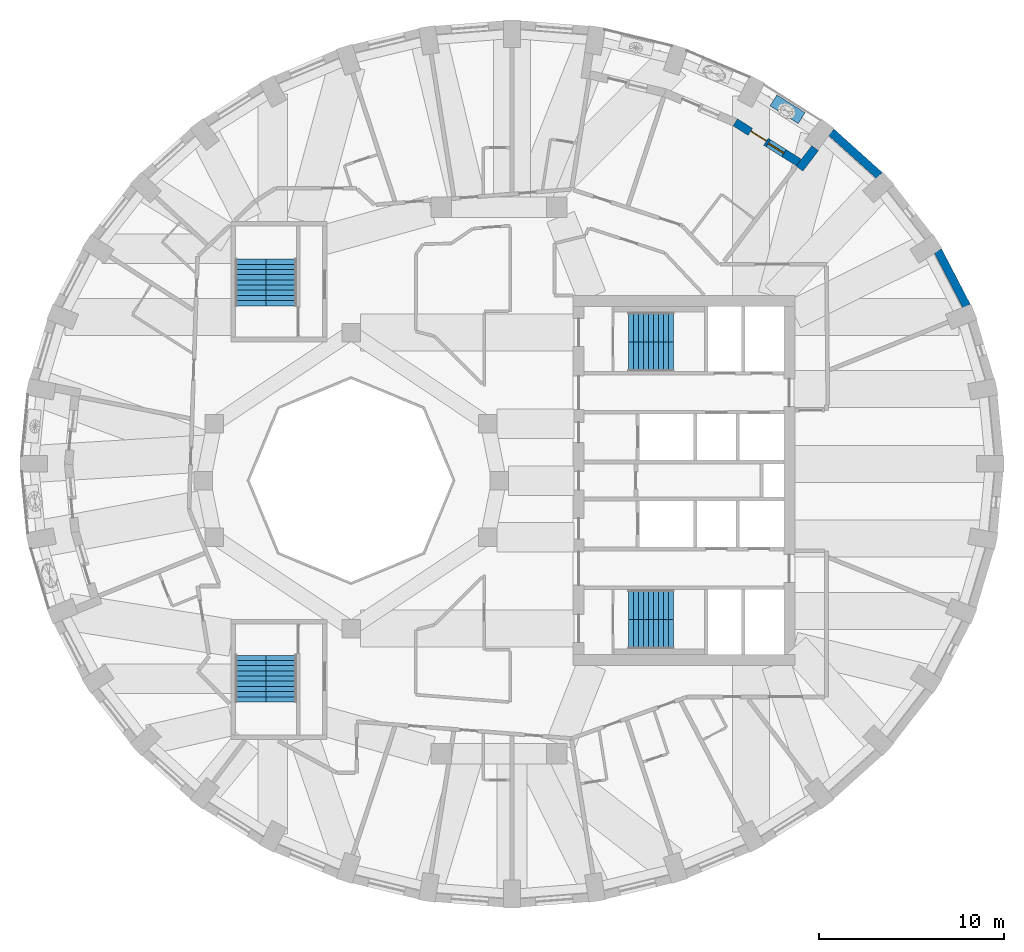
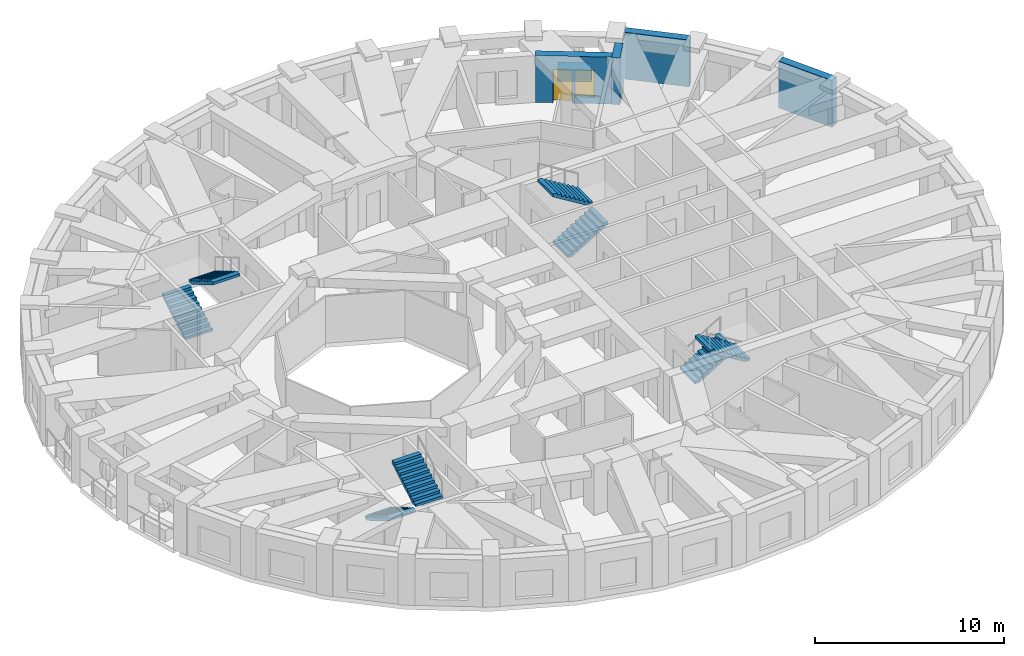
# One storey, part 9 of 12: 8 stair flights, 5 walls, 1 door, 1 window, 2 openings, 4 elements without a shape of their own.
"""IFC4 building model written with IfcOpenShell, lengths in metres."""

import ifcopenshell
import ifcopenshell.guid

model = None  # the IFC model being written
_history = None  # IfcOwnerHistory: only IFC2X3 demands one
_inside = {}  # id of a spatial element -> (the spatial element, [elements in it])
_under = {}  # id of a project, library or spatial element -> (it, [spatial elements below it])
_declared = {}  # id of a project -> (the project, [libraries it declares])
_typed = {}  # id of a type object -> (the type object, [elements of that type])
_made_of = {}  # id of a material, layer set ... -> (it, [elements and type objects made of it])


def new_model(schema):
    """Start an empty IFC model of exactly this schema.

    Asked for "IFC4X3", IfcOpenShell would pick the latest addendum, in which some entities
    have other attributes; the version numbers below select the first issue.
    IFC2X3 requires an IfcOwnerHistory on every rooted entity: one is made here for all.
    """
    global model, _history
    if schema == "IFC4X3":
        model = ifcopenshell.file(schema_version=(4, 3, 0, 0))
    else:
        model = ifcopenshell.file(schema=schema)
    _inside.clear()
    _under.clear()
    _declared.clear()
    _typed.clear()
    _made_of.clear()
    _history = None
    if model.schema == "IFC2X3":
        org = make("IfcOrganization", Name="unknown")
        user = make(
            "IfcPersonAndOrganization",
            ThePerson=make("IfcPerson", FamilyName="unknown"),
            TheOrganization=org,
        )
        app = make(
            "IfcApplication",
            ApplicationDeveloper=org,
            Version="unknown",
            ApplicationFullName="unknown",
            ApplicationIdentifier="unknown",
        )
        _history = make(
            "IfcOwnerHistory",
            OwningUser=user,
            OwningApplication=app,
            ChangeAction="ADDED",
            CreationDate=0,
        )
    return model


def make(cls, **values):
    """One entity of the class cls with the attributes given. An attribute that is None is left unset."""
    return model.create_entity(
        cls, **{name: value for name, value in values.items() if value is not None}
    )


def rooted(cls, **values):
    """An entity with a GlobalId (a new one), such as an element, a storey or a relation."""
    return make(cls, GlobalId=ifcopenshell.guid.new(), OwnerHistory=_history, **values)


def si_unit(unit_type, name, prefix=None):
    """IfcSIUnit, for example si_unit("LENGTHUNIT", "METRE", prefix="MILLI")."""
    return make("IfcSIUnit", UnitType=unit_type, Prefix=prefix, Name=name)


def assignment(units):
    """IfcUnitAssignment: the units of a project."""
    return None if units is None else make("IfcUnitAssignment", Units=units)


def point(xyz):
    """IfcCartesianPoint."""
    return None if xyz is None else make("IfcCartesianPoint", Coordinates=xyz)


def direction(xyz):
    """IfcDirection."""
    return None if xyz is None else make("IfcDirection", DirectionRatios=xyz)


def frame(location, z_axis=None, x_axis=None):
    """IfcAxis2Placement3D, a coordinate frame: its origin and axes. An axis left out is left unset."""
    return make(
        "IfcAxis2Placement3D",
        Location=point(location),
        Axis=direction(z_axis),
        RefDirection=direction(x_axis),
    )


def frame_2d(location, x_axis=None):
    """IfcAxis2Placement2D, a coordinate frame in the plane: its origin and x axis."""
    return make(
        "IfcAxis2Placement2D", Location=point(location), RefDirection=direction(x_axis)
    )


def origin():
    """The frame at (0, 0, 0) with its axes left unset."""
    return frame((0.0, 0.0, 0.0))


def place(relative_to, where):
    """IfcLocalPlacement: puts the frame where relative to a parent placement (None: the world)."""
    return make(
        "IfcLocalPlacement", PlacementRelTo=relative_to, RelativePlacement=where
    )


def context(
    kind, dimensions, precision=None, world=None, true_north=None, identifier=None
):
    """IfcGeometricRepresentationContext, for example the 3D "Model" context."""
    return make(
        "IfcGeometricRepresentationContext",
        ContextIdentifier=identifier,
        ContextType=kind,
        CoordinateSpaceDimension=dimensions,
        Precision=precision,
        WorldCoordinateSystem=world,
        TrueNorth=true_north,
    )


def subcontext(parent, identifier, kind, view, scale=None):
    """IfcGeometricRepresentationSubContext, for example "Body" below "Model"."""
    return make(
        "IfcGeometricRepresentationSubContext",
        ContextIdentifier=identifier,
        ContextType=kind,
        ParentContext=parent,
        TargetScale=scale,
        TargetView=view,
    )


def project(units=None, contexts=None):
    """IfcProject with its units and contexts."""
    return rooted(
        "IfcProject",
        Name="project",
        RepresentationContexts=contexts,
        UnitsInContext=assignment(units),
    )


def spatial(cls, under=None, at=None, **own):
    """A site, building, storey or space (cls), placed at a placement, below another one or the project."""
    s = rooted(cls, ObjectPlacement=at, **own)
    if under is not None:
        _under.setdefault(under.id(), (under, []))[1].append(s)
    return s


def polyline(points):
    """IfcPolyline through the points."""
    return make("IfcPolyline", Points=[point(p) for p in points])


def profile(cls, at=None, kind="AREA", **sizes):
    """A parametric profile (cls). Its sizes go by their IFC names, for example OverallWidth=200.0."""
    return make(cls, ProfileType=kind, Position=at, **sizes)


def rectangle(**sizes):
    """IfcRectangleProfileDef."""
    return profile("IfcRectangleProfileDef", **sizes)


def outline(outer, holes=None, kind="AREA"):
    """IfcArbitraryClosedProfileDef: a profile drawn as a closed curve; with holes, ...WithVoids."""
    if holes is None:
        return make("IfcArbitraryClosedProfileDef", ProfileType=kind, OuterCurve=outer)
    return make(
        "IfcArbitraryProfileDefWithVoids",
        ProfileType=kind,
        OuterCurve=outer,
        InnerCurves=holes,
    )


def extrude(swept, where, along, depth):
    """IfcExtrudedAreaSolid: the profile swept, set in the frame where, extruded along a direction by depth."""
    return make(
        "IfcExtrudedAreaSolid",
        SweptArea=swept,
        Position=where,
        ExtrudedDirection=direction(along),
        Depth=depth,
    )


def shape(context_of_items, identifier, shape_type, items):
    """IfcShapeRepresentation: the items that make up one representation, for example the "Body"."""
    return make(
        "IfcShapeRepresentation",
        ContextOfItems=context_of_items,
        RepresentationIdentifier=identifier,
        RepresentationType=shape_type,
        Items=items,
    )


def material(Name=None, Category=None):
    """IfcMaterial."""
    return make("IfcMaterial", Name=Name, Category=Category)


def layer(
    of_material, thickness, ventilated=None, Name=None, Category=None, Priority=None
):
    """IfcMaterialLayer: one layer of a wall or slab, of a material (None: an air gap)."""
    return make(
        "IfcMaterialLayer",
        Material=of_material,
        LayerThickness=thickness,
        IsVentilated=ventilated,
        Name=Name,
        Category=Category,
        Priority=Priority,
    )


def layer_set(layers, Name=None):
    """IfcMaterialLayerSet."""
    return make("IfcMaterialLayerSet", MaterialLayers=layers, LayerSetName=Name)


def constituent(of_material, Name=None, Category=None, fraction=None):
    """IfcMaterialConstituent: one of the materials an element consists of."""
    return make(
        "IfcMaterialConstituent",
        Name=Name,
        Material=of_material,
        Fraction=fraction,
        Category=Category,
    )


def constituent_set(constituents=None, Name=None):
    """IfcMaterialConstituentSet."""
    return make(
        "IfcMaterialConstituentSet", Name=Name, MaterialConstituents=constituents
    )


def made_of(thing, what):
    """Note that an element or type object is made of a material, layer set ...; save() writes the relation."""
    if what is not None:
        _made_of.setdefault(what.id(), (what, []))[1].append(thing)
    return thing


def type_object(cls, material=None, **own):
    """A type object (cls), such as IfcWallType, which elements share."""
    return made_of(rooted(cls, **own), material)


def element(
    cls,
    number,
    at=None,
    inside=None,
    cuts=None,
    type_object=None,
    material=None,
    context=None,
    identifier="Body",
    shape_type=None,
    held_by="IfcProductDefinitionShape",
    body=None,
    shapes=None,
    **own,
):
    """One element of the class cls, such as IfcWall. Its Tag is "e" and its number.

    at: its placement. inside: the storey or other place that contains it. cuts: it is an
    opening in that element (IfcRelVoidsElement). A single representation is given by context,
    identifier, shape_type and body (its items); several are given by shapes. held_by: the class
    of the entity that holds the representations. save() writes the other relations.
    """
    e = rooted(cls, Tag="e%d" % number, ObjectPlacement=at, **own)
    if body is not None:
        shapes = [shape(context, identifier, shape_type, body)]
    if shapes is not None:
        e.Representation = make(held_by, Representations=shapes)
    if inside is not None:
        _inside.setdefault(inside.id(), (inside, []))[1].append(e)
    if cuts is not None:
        rooted(
            "IfcRelVoidsElement", RelatingBuildingElement=cuts, RelatedOpeningElement=e
        )
    if type_object is not None:
        _typed.setdefault(type_object.id(), (type_object, []))[1].append(e)
    return made_of(e, material)


def fill(opening, filler):
    """IfcRelFillsElement: the door or window that sits in an opening."""
    return rooted(
        "IfcRelFillsElement",
        RelatingOpeningElement=opening,
        RelatedBuildingElement=filler,
    )


def aggregate(whole, parts):
    """IfcRelAggregates: a whole, such as a stair, and the parts it consists of."""
    return rooted("IfcRelAggregates", RelatingObject=whole, RelatedObjects=parts)


def save(model, path):
    """Write the relations noted so far, then the file.

    IfcRelAggregates (storeys below a building ...), IfcRelContainedInSpatialStructure (elements
    in a storey), IfcRelDefinesByType, IfcRelAssociatesMaterial and IfcRelDeclares: one each for
    every whole, place, type object, material and project.
    """
    for whole, parts in _under.values():
        aggregate(whole, parts)
    for where, things in _inside.values():
        rooted(
            "IfcRelContainedInSpatialStructure",
            RelatedElements=things,
            RelatingStructure=where,
        )
    for kind, things in _typed.values():
        rooted("IfcRelDefinesByType", RelatedObjects=things, RelatingType=kind)
    for what, things in _made_of.values():
        rooted("IfcRelAssociatesMaterial", RelatedObjects=things, RelatingMaterial=what)
    for by, libraries in _declared.values():
        rooted("IfcRelDeclares", RelatingContext=by, RelatedDefinitions=libraries)
    model.write(path)


model = new_model("IFC4")

# Units and contexts
model_context = context("Model", 3, precision=1e-05, world=origin(), true_north=direction((0.0, 1.0)))
body_context = subcontext(model_context, "Body", "Model", "MODEL_VIEW")
ifc_project = project(units=[si_unit("LENGTHUNIT", "METRE"), si_unit("AREAUNIT", "SQUARE_METRE"), si_unit("VOLUMEUNIT", "CUBIC_METRE"), si_unit("PLANEANGLEUNIT", "RADIAN"), si_unit("MASSUNIT", "GRAM", prefix="KILO")], contexts=[model_context])

# Site, building, storey
site_placement = place(None, origin())
site = spatial("IfcSite", under=ifc_project, at=site_placement, CompositionType="ELEMENT")
building_placement = place(site_placement, origin())
building = spatial("IfcBuilding", under=site, at=building_placement, Name="Taillehof Tower", CompositionType="ELEMENT")
storey_placement = place(building_placement, frame((0.0, 0.0, 192.5)))
storey = spatial("IfcBuildingStorey", under=building, at=storey_placement, Name="L54", CompositionType="ELEMENT", Elevation=192.5)

# Walls
ifc_material_1 = material(Name="Brick masonry", Category="masonry")
ifc_layer = layer(ifc_material_1, 0.449951171875)
ifc_layer_set = layer_set([ifc_layer], Name="Brick infill wall 450")
wall_type_1 = type_object("IfcWallType", Name="Brick infill wall 450", PredefinedType="SOLIDWALL", material=ifc_layer_set)
wall_1_placement = place(storey_placement, frame((25.278076171875, 9.431640625, 0.0), z_axis=(0.0, 0.0, 1.0), x_axis=(-0.460175500475, 0.887827972505, 0.0)))
element("IfcWall", 1, at=wall_1_placement, inside=storey, type_object=wall_type_1, Name="Brick wall L54 bay 3", PredefinedType="SOLIDWALL", context=body_context, shape_type="SweptSolid", body=[
    extrude(rectangle(XDim=3.37060546875, YDim=0.449951171875, at=frame_2d((1.685302734375, 0.0))), origin(), (0.0, 0.0, 1.0), 3.02001953125),
])
wall_2_placement = place(storey_placement, frame((20.56494140625, 16.490478515625, 0.0), z_axis=(0.0, 0.0, 1.0), x_axis=(-0.743442727602, 0.668799604348, 0.0)))
element("IfcWall", 2, at=wall_2_placement, inside=storey, type_object=wall_type_1, Name="Brick wall L54 bay 5", PredefinedType="SOLIDWALL", context=body_context, shape_type="SweptSolid", body=[
    extrude(rectangle(XDim=3.5126953125, YDim=0.449951171875, at=frame_2d((1.75634765625, 0.0))), origin(), (0.0, 0.0, 1.0), 3.02001953125),
])
wall_3_placement = place(storey_placement, frame((17.084716796875, 17.969970703125, 0.0), z_axis=(0.0, 0.0, 1.0), x_axis=(-0.603644757989, -0.797253414011, 0.0)))
element("IfcWall", 3, at=wall_3_placement, inside=storey, type_object=wall_type_1, Name="Brick reveal L54 pocket 1", PredefinedType="SOLIDWALL", context=body_context, shape_type="SweptSolid", body=[
    extrude(rectangle(XDim=1.390869140625, YDim=0.449951171875, at=frame_2d((0.6953125, 0.0))), origin(), (0.0, 0.0, 1.0), 3.02001953125),
])

# Wall, openings, door, window
wall_4_placement = place(storey_placement, frame((16.213134765625, 17.191650390625, 0.0), z_axis=(0.0, 0.0, 1.0), x_axis=(-0.84545185308, 0.534051649303, 0.0)))
wall_4 = element("IfcWall", 4, at=wall_4_placement, inside=storey, type_object=wall_type_1, Name="Brick wall L54 pocket bay 6", PredefinedType="SOLIDWALL", context=body_context, shape_type="SweptSolid", body=[
    extrude(rectangle(XDim=4.0712890625, YDim=0.449951171875, at=frame_2d((2.03564453125, 0.0))), origin(), (0.0, 0.0, 1.0), 3.02001953125),
])
opening_1_placement = place(wall_4_placement, frame((0.960693359375, 0.0, 0.39990234375)))
opening_1 = element("IfcOpeningElement", 5, at=opening_1_placement, cuts=wall_4, Name="Opening W5", PredefinedType="OPENING", context=body_context, shape_type="SweptSolid", body=[
    extrude(rectangle(XDim=1.0, YDim=1.75, at=frame_2d((0.5, 0.875))), frame((0.0, 0.23486328125, 0.0), z_axis=(0.0, -1.0, 0.0), x_axis=(1.0, 0.0, 0.0)), (0.0, 0.0, 1.0), 0.469970703125),
])
opening_2_placement = place(wall_4_placement, frame((2.110595703125, 0.0, 0.0)))
opening_2 = element("IfcOpeningElement", 6, at=opening_2_placement, cuts=wall_4, Name="Opening D5491", PredefinedType="OPENING", context=body_context, shape_type="SweptSolid", body=[
    extrude(rectangle(XDim=1.0, YDim=2.14990234375, at=frame_2d((0.5, 1.074951171875))), frame((0.0, 0.23486328125, 0.0), z_axis=(0.0, -1.0, 0.0), x_axis=(1.0, 0.0, 0.0)), (0.0, 0.0, 1.0), 0.469970703125),
])
ifc_material_2 = material(Name="Aluminium door frame with clear double glazing", Category="aluminium")
door_type = type_object("IfcDoorType", Name="Balcony door 1000x2150", OperationType="SINGLE_SWING_RIGHT", PredefinedType="DOOR", material=ifc_material_2)
door_placement = place(opening_2_placement, frame((1.0, 0.0, 0.0), z_axis=(0.0, 0.0, 1.0), x_axis=(-1.0, 0.0, 0.0)))
door = element("IfcDoor", 7, at=door_placement, inside=storey, type_object=door_type, Name="Balcony door L54 bay 6", OperationType="SINGLE_SWING_RIGHT", OverallHeight=2.14990234375, OverallWidth=1.0, PredefinedType="DOOR", context=body_context, shape_type="SweptSolid", body=[
    extrude(rectangle(XDim=1.0, YDim=2.14990234375, at=frame_2d((0.5, 1.074951171875))), frame((0.0, 0.0751953125, 0.0), z_axis=(0.0, -1.0, 0.0), x_axis=(1.0, 0.0, 0.0)), (0.0, 0.0, 1.0), 0.050048828125),
])
fill(opening_2, door)
ifc_material_3 = material(Name="Aluminium window frame with clear double glazing", Category="aluminium")
window_type = type_object("IfcWindowType", Name="Fixed window 1000x1750", PartitioningType="SINGLE_PANEL", PredefinedType="WINDOW", material=ifc_material_3)
window_placement = place(opening_1_placement, origin())
window = element("IfcWindow", 8, at=window_placement, inside=storey, type_object=window_type, Name="W5", OverallHeight=1.75, OverallWidth=1.0, PartitioningType="SINGLE_PANEL", PredefinedType="WINDOW", context=body_context, shape_type="SweptSolid", body=[
    extrude(rectangle(XDim=1.0, YDim=1.75, at=frame_2d((0.5, 0.875))), frame((0.0, 0.034912109375, 0.0), z_axis=(0.0, -1.0, 0.0), x_axis=(1.0, 0.0, 0.0)), (0.0, 0.0, 1.0), 0.06005859375),
])
fill(opening_1, window)

# Wall
ifc_material_4 = material(Name="Concrete C30/37 precast", Category="concrete")
ifc_constituent_1 = constituent(ifc_material_4, Name="Structure", Category="concrete")
ifc_material_5 = material(Name="Insulated lining")
ifc_constituent_2 = constituent(ifc_material_5, Name="Lining")
ifc_constituent_set = constituent_set(constituents=[ifc_constituent_1, ifc_constituent_2], Name="Planter trough 700x750")
wall_type_2 = type_object("IfcWallType", Name="Planter trough 700x750", PredefinedType="USERDEFINED", material=ifc_constituent_set)
wall_5_placement = place(storey_placement, frame((16.359619140625, 19.59326171875, 0.0), z_axis=(0.0, 0.0, 1.0), x_axis=(-0.846149017978, 0.532946375703, 0.0)))
element("IfcWall", 9, at=wall_5_placement, inside=storey, type_object=wall_type_2, Name="Planter L54 bay 6", ObjectType="PLANTER", PredefinedType="USERDEFINED", context=body_context, shape_type="SweptSolid", body=[
    extrude(rectangle(XDim=1.7998046875, YDim=0.699951171875, at=frame_2d((0.89990234375, 0.0))), origin(), (0.0, 0.0, 1.0), 0.75),
])

# Stair, stair flights
ifc_material_6 = material(Name="Concrete C40/50", Category="concrete")
stair_type = type_object("IfcStairType", Name="Exit stair half-turn", PredefinedType="HALF_TURN_STAIR", material=ifc_material_6)
stair_1_placement = place(storey_placement, origin())
stair_1 = element("IfcStair", 10, at=stair_1_placement, inside=storey, type_object=stair_type, Name="Exit stair S1", PredefinedType="HALF_TURN_STAIR")
ifc_material_7 = material(Name="Concrete C40/50", Category="concrete")
stair_flight_type_1 = type_object("IfcStairFlightType", Name="Stair flight 1600 riser 165.0 going 270", PredefinedType="STRAIGHT", material=ifc_material_7)
stair_flight_1_placement = place(storey_placement, frame((7.0, 6.699951171875, 0.0), z_axis=(0.0, 0.0, 1.0), x_axis=(1.0, 0.0, 0.0)))
stair_flight_1 = element("IfcStairFlight", 11, at=stair_flight_1_placement, type_object=stair_flight_type_1, Name="S1 flight 1", NumberOfRisers=10, NumberOfTreads=9, PredefinedType="STRAIGHT", RiserHeight=0.165, TreadLength=0.27, context=body_context, shape_type="SweptSolid", body=[
    extrude(outline(polyline([(0.0, 0.0), (0.0, 0.00537109375), (0.0, 0.0107421875), (0.0, 0.015869140625), (0.0, 0.021240234375), (0.0, 0.026611328125), (0.0, 0.031982421875), (0.0, 0.037353515625), (0.0, 0.04248046875), (0.0, 0.0478515625), (0.0, 0.05322265625), (0.0, 0.05859375), (0.0, 0.06396484375), (0.0, 0.069091796875), (0.0, 0.074462890625), (0.0, 0.079833984375), (0.0, 0.085205078125), (0.0, 0.090576171875), (0.0, 0.095703125), (0.0, 0.10107421875), (0.0, 0.1064453125), (0.0, 0.11181640625), (0.0, 0.1171875), (0.0, 0.122314453125), (0.0, 0.127685546875), (0.0, 0.133056640625), (0.0, 0.138427734375), (0.0, 0.143798828125), (0.0, 0.14892578125), (0.0, 0.154296875), (0.0, 0.15966796875), (0.0, 0.1650390625), (0.27001953125, 0.1650390625), (0.27001953125, 0.330078125), (0.5400390625, 0.330078125), (0.5400390625, 0.4951171875), (0.81005859375, 0.4951171875), (0.81005859375, 0.659912109375), (1.080078125, 0.659912109375), (1.080078125, 0.824951171875), (1.35009765625, 0.824951171875), (1.35009765625, 0.989990234375), (1.6201171875, 0.989990234375), (1.6201171875, 1.155029296875), (1.889892578125, 1.155029296875), (1.889892578125, 1.320068359375), (2.159912109375, 1.320068359375), (2.159912109375, 1.485107421875), (2.429931640625, 1.485107421875), (2.429931640625, 1.479248046875), (2.429931640625, 1.4736328125), (2.429931640625, 1.468017578125), (2.429931640625, 1.46240234375), (2.429931640625, 1.45654296875), (2.429931640625, 1.450927734375), (2.429931640625, 1.4453125), (2.429931640625, 1.439697265625), (2.429931640625, 1.43408203125), (2.429931640625, 1.42822265625), (2.429931640625, 1.422607421875), (2.429931640625, 1.4169921875), (2.429931640625, 1.411376953125), (2.429931640625, 1.40576171875), (2.429931640625, 1.39990234375), (2.429931640625, 1.394287109375), (2.429931640625, 1.388671875), (2.429931640625, 1.383056640625), (2.429931640625, 1.37744140625), (2.429931640625, 1.37158203125), (2.429931640625, 1.365966796875), (2.429931640625, 1.3603515625), (2.429931640625, 1.354736328125), (2.429931640625, 1.348876953125), (2.429931640625, 1.34326171875), (2.429931640625, 1.337646484375), (2.429931640625, 1.33203125), (2.429931640625, 1.326416015625), (2.429931640625, 1.320556640625), (2.429931640625, 1.31494140625), (2.429931640625, 1.309326171875), (0.287353515625, 0.0), (0.0, 0.0)])), frame((0.0, 0.800048828125, 0.0), z_axis=(0.0, -1.0, 0.0), x_axis=(1.0, 0.0, 0.0)), (0.0, 0.0, 1.0), 1.6),
])
stair_flight_2_placement = place(storey_placement, frame((9.429931640625, 8.300048828125, 1.64990234375), z_axis=(0.0, 0.0, 1.0), x_axis=(-1.0, 0.0, 0.0)))
stair_flight_2 = element("IfcStairFlight", 12, at=stair_flight_2_placement, type_object=stair_flight_type_1, Name="S1 flight 2", NumberOfRisers=10, NumberOfTreads=9, PredefinedType="STRAIGHT", RiserHeight=0.165, TreadLength=0.27, context=body_context, shape_type="SweptSolid", body=[
    extrude(outline(polyline([(0.0, 0.0), (0.0, 0.00537109375), (0.0, 0.0107421875), (0.0, 0.015869140625), (0.0, 0.021240234375), (0.0, 0.026611328125), (0.0, 0.031982421875), (0.0, 0.037353515625), (0.0, 0.04248046875), (0.0, 0.0478515625), (0.0, 0.05322265625), (0.0, 0.05859375), (0.0, 0.06396484375), (0.0, 0.069091796875), (0.0, 0.074462890625), (0.0, 0.079833984375), (0.0, 0.085205078125), (0.0, 0.090576171875), (0.0, 0.095703125), (0.0, 0.10107421875), (0.0, 0.1064453125), (0.0, 0.11181640625), (0.0, 0.1171875), (0.0, 0.122314453125), (0.0, 0.127685546875), (0.0, 0.133056640625), (0.0, 0.138427734375), (0.0, 0.143798828125), (0.0, 0.14892578125), (0.0, 0.154296875), (0.0, 0.15966796875), (0.0, 0.1650390625), (0.27001953125, 0.1650390625), (0.27001953125, 0.330078125), (0.5400390625, 0.330078125), (0.5400390625, 0.4951171875), (0.81005859375, 0.4951171875), (0.81005859375, 0.659912109375), (1.080078125, 0.659912109375), (1.080078125, 0.824951171875), (1.35009765625, 0.824951171875), (1.35009765625, 0.989990234375), (1.6201171875, 0.989990234375), (1.6201171875, 1.155029296875), (1.889892578125, 1.155029296875), (1.889892578125, 1.320068359375), (2.159912109375, 1.320068359375), (2.159912109375, 1.485107421875), (2.429931640625, 1.485107421875), (2.429931640625, 1.479248046875), (2.429931640625, 1.4736328125), (2.429931640625, 1.468017578125), (2.429931640625, 1.46240234375), (2.429931640625, 1.45654296875), (2.429931640625, 1.450927734375), (2.429931640625, 1.4453125), (2.429931640625, 1.439697265625), (2.429931640625, 1.43408203125), (2.429931640625, 1.42822265625), (2.429931640625, 1.422607421875), (2.429931640625, 1.4169921875), (2.429931640625, 1.411376953125), (2.429931640625, 1.40576171875), (2.429931640625, 1.39990234375), (2.429931640625, 1.394287109375), (2.429931640625, 1.388671875), (2.429931640625, 1.383056640625), (2.429931640625, 1.37744140625), (2.429931640625, 1.37158203125), (2.429931640625, 1.365966796875), (2.429931640625, 1.3603515625), (2.429931640625, 1.354736328125), (2.429931640625, 1.348876953125), (2.429931640625, 1.34326171875), (2.429931640625, 1.337646484375), (2.429931640625, 1.33203125), (2.429931640625, 1.326416015625), (2.429931640625, 1.320556640625), (2.429931640625, 1.31494140625), (2.429931640625, 1.309326171875), (0.287353515625, 0.0), (0.0, 0.0)])), frame((0.0, 0.800048828125, 0.0), z_axis=(0.0, -1.0, 0.0), x_axis=(1.0, 0.0, 0.0)), (0.0, 0.0, 1.0), 1.6),
])
aggregate(stair_1, [stair_flight_1, stair_flight_2])

stair_2_placement = place(storey_placement, origin())
stair_2 = element("IfcStair", 13, at=stair_2_placement, inside=storey, type_object=stair_type, Name="Exit stair S2", PredefinedType="HALF_TURN_STAIR")
stair_flight_3_placement = place(storey_placement, frame((7.0, -6.699951171875, 0.0), z_axis=(0.0, 0.0, 1.0), x_axis=(1.0, 0.0, 0.0)))
stair_flight_3 = element("IfcStairFlight", 14, at=stair_flight_3_placement, type_object=stair_flight_type_1, Name="S2 flight 1", NumberOfRisers=10, NumberOfTreads=9, PredefinedType="STRAIGHT", RiserHeight=0.165, TreadLength=0.27, context=body_context, shape_type="SweptSolid", body=[
    extrude(outline(polyline([(0.0, 0.0), (0.0, 0.00537109375), (0.0, 0.0107421875), (0.0, 0.015869140625), (0.0, 0.021240234375), (0.0, 0.026611328125), (0.0, 0.031982421875), (0.0, 0.037353515625), (0.0, 0.04248046875), (0.0, 0.0478515625), (0.0, 0.05322265625), (0.0, 0.05859375), (0.0, 0.06396484375), (0.0, 0.069091796875), (0.0, 0.074462890625), (0.0, 0.079833984375), (0.0, 0.085205078125), (0.0, 0.090576171875), (0.0, 0.095703125), (0.0, 0.10107421875), (0.0, 0.1064453125), (0.0, 0.11181640625), (0.0, 0.1171875), (0.0, 0.122314453125), (0.0, 0.127685546875), (0.0, 0.133056640625), (0.0, 0.138427734375), (0.0, 0.143798828125), (0.0, 0.14892578125), (0.0, 0.154296875), (0.0, 0.15966796875), (0.0, 0.1650390625), (0.27001953125, 0.1650390625), (0.27001953125, 0.330078125), (0.5400390625, 0.330078125), (0.5400390625, 0.4951171875), (0.81005859375, 0.4951171875), (0.81005859375, 0.659912109375), (1.080078125, 0.659912109375), (1.080078125, 0.824951171875), (1.35009765625, 0.824951171875), (1.35009765625, 0.989990234375), (1.6201171875, 0.989990234375), (1.6201171875, 1.155029296875), (1.889892578125, 1.155029296875), (1.889892578125, 1.320068359375), (2.159912109375, 1.320068359375), (2.159912109375, 1.485107421875), (2.429931640625, 1.485107421875), (2.429931640625, 1.479248046875), (2.429931640625, 1.4736328125), (2.429931640625, 1.468017578125), (2.429931640625, 1.46240234375), (2.429931640625, 1.45654296875), (2.429931640625, 1.450927734375), (2.429931640625, 1.4453125), (2.429931640625, 1.439697265625), (2.429931640625, 1.43408203125), (2.429931640625, 1.42822265625), (2.429931640625, 1.422607421875), (2.429931640625, 1.4169921875), (2.429931640625, 1.411376953125), (2.429931640625, 1.40576171875), (2.429931640625, 1.39990234375), (2.429931640625, 1.394287109375), (2.429931640625, 1.388671875), (2.429931640625, 1.383056640625), (2.429931640625, 1.37744140625), (2.429931640625, 1.37158203125), (2.429931640625, 1.365966796875), (2.429931640625, 1.3603515625), (2.429931640625, 1.354736328125), (2.429931640625, 1.348876953125), (2.429931640625, 1.34326171875), (2.429931640625, 1.337646484375), (2.429931640625, 1.33203125), (2.429931640625, 1.326416015625), (2.429931640625, 1.320556640625), (2.429931640625, 1.31494140625), (2.429931640625, 1.309326171875), (0.287353515625, 0.0), (0.0, 0.0)])), frame((0.0, 0.800048828125, 0.0), z_axis=(0.0, -1.0, 0.0), x_axis=(1.0, 0.0, 0.0)), (0.0, 0.0, 1.0), 1.6),
])
stair_flight_4_placement = place(storey_placement, frame((9.429931640625, -8.300048828125, 1.64990234375), z_axis=(0.0, 0.0, 1.0), x_axis=(-1.0, 0.0, 0.0)))
stair_flight_4 = element("IfcStairFlight", 15, at=stair_flight_4_placement, type_object=stair_flight_type_1, Name="S2 flight 2", NumberOfRisers=10, NumberOfTreads=9, PredefinedType="STRAIGHT", RiserHeight=0.165, TreadLength=0.27, context=body_context, shape_type="SweptSolid", body=[
    extrude(outline(polyline([(0.0, 0.0), (0.0, 0.00537109375), (0.0, 0.0107421875), (0.0, 0.015869140625), (0.0, 0.021240234375), (0.0, 0.026611328125), (0.0, 0.031982421875), (0.0, 0.037353515625), (0.0, 0.04248046875), (0.0, 0.0478515625), (0.0, 0.05322265625), (0.0, 0.05859375), (0.0, 0.06396484375), (0.0, 0.069091796875), (0.0, 0.074462890625), (0.0, 0.079833984375), (0.0, 0.085205078125), (0.0, 0.090576171875), (0.0, 0.095703125), (0.0, 0.10107421875), (0.0, 0.1064453125), (0.0, 0.11181640625), (0.0, 0.1171875), (0.0, 0.122314453125), (0.0, 0.127685546875), (0.0, 0.133056640625), (0.0, 0.138427734375), (0.0, 0.143798828125), (0.0, 0.14892578125), (0.0, 0.154296875), (0.0, 0.15966796875), (0.0, 0.1650390625), (0.27001953125, 0.1650390625), (0.27001953125, 0.330078125), (0.5400390625, 0.330078125), (0.5400390625, 0.4951171875), (0.81005859375, 0.4951171875), (0.81005859375, 0.659912109375), (1.080078125, 0.659912109375), (1.080078125, 0.824951171875), (1.35009765625, 0.824951171875), (1.35009765625, 0.989990234375), (1.6201171875, 0.989990234375), (1.6201171875, 1.155029296875), (1.889892578125, 1.155029296875), (1.889892578125, 1.320068359375), (2.159912109375, 1.320068359375), (2.159912109375, 1.485107421875), (2.429931640625, 1.485107421875), (2.429931640625, 1.479248046875), (2.429931640625, 1.4736328125), (2.429931640625, 1.468017578125), (2.429931640625, 1.46240234375), (2.429931640625, 1.45654296875), (2.429931640625, 1.450927734375), (2.429931640625, 1.4453125), (2.429931640625, 1.439697265625), (2.429931640625, 1.43408203125), (2.429931640625, 1.42822265625), (2.429931640625, 1.422607421875), (2.429931640625, 1.4169921875), (2.429931640625, 1.411376953125), (2.429931640625, 1.40576171875), (2.429931640625, 1.39990234375), (2.429931640625, 1.394287109375), (2.429931640625, 1.388671875), (2.429931640625, 1.383056640625), (2.429931640625, 1.37744140625), (2.429931640625, 1.37158203125), (2.429931640625, 1.365966796875), (2.429931640625, 1.3603515625), (2.429931640625, 1.354736328125), (2.429931640625, 1.348876953125), (2.429931640625, 1.34326171875), (2.429931640625, 1.337646484375), (2.429931640625, 1.33203125), (2.429931640625, 1.326416015625), (2.429931640625, 1.320556640625), (2.429931640625, 1.31494140625), (2.429931640625, 1.309326171875), (0.287353515625, 0.0), (0.0, 0.0)])), frame((0.0, 0.800048828125, 0.0), z_axis=(0.0, -1.0, 0.0), x_axis=(1.0, 0.0, 0.0)), (0.0, 0.0, 1.0), 1.6),
])
aggregate(stair_2, [stair_flight_3, stair_flight_4])

stair_3_placement = place(storey_placement, origin())
stair_3 = element("IfcStair", 16, at=stair_3_placement, inside=storey, type_object=stair_type, Name="Exit stair S3", PredefinedType="HALF_TURN_STAIR")
ifc_material_8 = material(Name="Concrete C40/50", Category="concrete")
stair_flight_type_2 = type_object("IfcStairFlightType", Name="Stair flight 1650 riser 165.0 going 280", PredefinedType="STRAIGHT", material=ifc_material_8)
stair_flight_5_placement = place(storey_placement, frame((-13.425048828125, 9.449951171875, 0.0), z_axis=(0.0, 0.0, 1.0), x_axis=(0.0, 1.0, 0.0)))
stair_flight_5 = element("IfcStairFlight", 17, at=stair_flight_5_placement, type_object=stair_flight_type_2, Name="S3 flight 1", NumberOfRisers=10, NumberOfTreads=9, PredefinedType="STRAIGHT", RiserHeight=0.165, TreadLength=0.28, context=body_context, shape_type="SweptSolid", body=[
    extrude(outline(polyline([(0.0, 0.0), (0.0, 0.00537109375), (0.0, 0.0107421875), (0.0, 0.015869140625), (0.0, 0.021240234375), (0.0, 0.026611328125), (0.0, 0.031982421875), (0.0, 0.037353515625), (0.0, 0.04248046875), (0.0, 0.0478515625), (0.0, 0.05322265625), (0.0, 0.05859375), (0.0, 0.06396484375), (0.0, 0.069091796875), (0.0, 0.074462890625), (0.0, 0.079833984375), (0.0, 0.085205078125), (0.0, 0.090576171875), (0.0, 0.095703125), (0.0, 0.10107421875), (0.0, 0.1064453125), (0.0, 0.11181640625), (0.0, 0.1171875), (0.0, 0.122314453125), (0.0, 0.127685546875), (0.0, 0.133056640625), (0.0, 0.138427734375), (0.0, 0.143798828125), (0.0, 0.14892578125), (0.0, 0.154296875), (0.0, 0.15966796875), (0.0, 0.1650390625), (0.280029296875, 0.1650390625), (0.280029296875, 0.330078125), (0.56005859375, 0.330078125), (0.56005859375, 0.4951171875), (0.840087890625, 0.4951171875), (0.840087890625, 0.659912109375), (1.1201171875, 0.659912109375), (1.1201171875, 0.824951171875), (1.39990234375, 0.824951171875), (1.39990234375, 0.989990234375), (1.679931640625, 0.989990234375), (1.679931640625, 1.155029296875), (1.9599609375, 1.155029296875), (1.9599609375, 1.320068359375), (2.239990234375, 1.320068359375), (2.239990234375, 1.485107421875), (2.52001953125, 1.485107421875), (2.52001953125, 1.4794921875), (2.52001953125, 1.473876953125), (2.52001953125, 1.46826171875), (2.52001953125, 1.462646484375), (2.52001953125, 1.45703125), (2.52001953125, 1.451416015625), (2.52001953125, 1.44580078125), (2.52001953125, 1.440185546875), (2.52001953125, 1.4345703125), (2.52001953125, 1.428955078125), (2.52001953125, 1.42333984375), (2.52001953125, 1.417724609375), (2.52001953125, 1.412109375), (2.52001953125, 1.406494140625), (2.52001953125, 1.40087890625), (2.52001953125, 1.395263671875), (2.52001953125, 1.3896484375), (2.52001953125, 1.384033203125), (2.52001953125, 1.37841796875), (2.52001953125, 1.372802734375), (2.52001953125, 1.3671875), (2.52001953125, 1.361572265625), (2.52001953125, 1.35595703125), (2.52001953125, 1.350341796875), (2.52001953125, 1.3447265625), (2.52001953125, 1.339111328125), (2.52001953125, 1.33349609375), (2.52001953125, 1.327880859375), (2.52001953125, 1.322265625), (2.52001953125, 1.316650390625), (2.52001953125, 1.31103515625), (0.295166015625, 0.0), (0.0, 0.0)])), frame((0.0, 0.824951171875, 0.0), z_axis=(0.0, -1.0, 0.0), x_axis=(1.0, 0.0, 0.0)), (0.0, 0.0, 1.0), 1.65),
])
stair_flight_6_placement = place(storey_placement, frame((-11.77490234375, 11.969970703125, 1.64990234375), z_axis=(0.0, 0.0, 1.0), x_axis=(0.0, -1.0, 0.0)))
stair_flight_6 = element("IfcStairFlight", 18, at=stair_flight_6_placement, type_object=stair_flight_type_2, Name="S3 flight 2", NumberOfRisers=10, NumberOfTreads=9, PredefinedType="STRAIGHT", RiserHeight=0.165, TreadLength=0.28, context=body_context, shape_type="SweptSolid", body=[
    extrude(outline(polyline([(0.0, 0.0), (0.0, 0.00537109375), (0.0, 0.0107421875), (0.0, 0.015869140625), (0.0, 0.021240234375), (0.0, 0.026611328125), (0.0, 0.031982421875), (0.0, 0.037353515625), (0.0, 0.04248046875), (0.0, 0.0478515625), (0.0, 0.05322265625), (0.0, 0.05859375), (0.0, 0.06396484375), (0.0, 0.069091796875), (0.0, 0.074462890625), (0.0, 0.079833984375), (0.0, 0.085205078125), (0.0, 0.090576171875), (0.0, 0.095703125), (0.0, 0.10107421875), (0.0, 0.1064453125), (0.0, 0.11181640625), (0.0, 0.1171875), (0.0, 0.122314453125), (0.0, 0.127685546875), (0.0, 0.133056640625), (0.0, 0.138427734375), (0.0, 0.143798828125), (0.0, 0.14892578125), (0.0, 0.154296875), (0.0, 0.15966796875), (0.0, 0.1650390625), (0.280029296875, 0.1650390625), (0.280029296875, 0.330078125), (0.56005859375, 0.330078125), (0.56005859375, 0.4951171875), (0.840087890625, 0.4951171875), (0.840087890625, 0.659912109375), (1.1201171875, 0.659912109375), (1.1201171875, 0.824951171875), (1.39990234375, 0.824951171875), (1.39990234375, 0.989990234375), (1.679931640625, 0.989990234375), (1.679931640625, 1.155029296875), (1.9599609375, 1.155029296875), (1.9599609375, 1.320068359375), (2.239990234375, 1.320068359375), (2.239990234375, 1.485107421875), (2.52001953125, 1.485107421875), (2.52001953125, 1.4794921875), (2.52001953125, 1.473876953125), (2.52001953125, 1.46826171875), (2.52001953125, 1.462646484375), (2.52001953125, 1.45703125), (2.52001953125, 1.451416015625), (2.52001953125, 1.44580078125), (2.52001953125, 1.440185546875), (2.52001953125, 1.4345703125), (2.52001953125, 1.428955078125), (2.52001953125, 1.42333984375), (2.52001953125, 1.417724609375), (2.52001953125, 1.412109375), (2.52001953125, 1.406494140625), (2.52001953125, 1.40087890625), (2.52001953125, 1.395263671875), (2.52001953125, 1.3896484375), (2.52001953125, 1.384033203125), (2.52001953125, 1.37841796875), (2.52001953125, 1.372802734375), (2.52001953125, 1.3671875), (2.52001953125, 1.361572265625), (2.52001953125, 1.35595703125), (2.52001953125, 1.350341796875), (2.52001953125, 1.3447265625), (2.52001953125, 1.339111328125), (2.52001953125, 1.33349609375), (2.52001953125, 1.327880859375), (2.52001953125, 1.322265625), (2.52001953125, 1.316650390625), (2.52001953125, 1.31103515625), (0.295166015625, 0.0), (0.0, 0.0)])), frame((0.0, 0.824951171875, 0.0), z_axis=(0.0, -1.0, 0.0), x_axis=(1.0, 0.0, 0.0)), (0.0, 0.0, 1.0), 1.65),
])
aggregate(stair_3, [stair_flight_5, stair_flight_6])

stair_4_placement = place(storey_placement, origin())
stair_4 = element("IfcStair", 19, at=stair_4_placement, inside=storey, type_object=stair_type, Name="Exit stair S4", PredefinedType="HALF_TURN_STAIR")
stair_flight_7_placement = place(storey_placement, frame((-13.425048828125, -9.449951171875, 0.0), z_axis=(0.0, 0.0, 1.0), x_axis=(0.0, -1.0, 0.0)))
stair_flight_7 = element("IfcStairFlight", 20, at=stair_flight_7_placement, type_object=stair_flight_type_2, Name="S4 flight 1", NumberOfRisers=10, NumberOfTreads=9, PredefinedType="STRAIGHT", RiserHeight=0.165, TreadLength=0.28, context=body_context, shape_type="SweptSolid", body=[
    extrude(outline(polyline([(0.0, 0.0), (0.0, 0.00537109375), (0.0, 0.0107421875), (0.0, 0.015869140625), (0.0, 0.021240234375), (0.0, 0.026611328125), (0.0, 0.031982421875), (0.0, 0.037353515625), (0.0, 0.04248046875), (0.0, 0.0478515625), (0.0, 0.05322265625), (0.0, 0.05859375), (0.0, 0.06396484375), (0.0, 0.069091796875), (0.0, 0.074462890625), (0.0, 0.079833984375), (0.0, 0.085205078125), (0.0, 0.090576171875), (0.0, 0.095703125), (0.0, 0.10107421875), (0.0, 0.1064453125), (0.0, 0.11181640625), (0.0, 0.1171875), (0.0, 0.122314453125), (0.0, 0.127685546875), (0.0, 0.133056640625), (0.0, 0.138427734375), (0.0, 0.143798828125), (0.0, 0.14892578125), (0.0, 0.154296875), (0.0, 0.15966796875), (0.0, 0.1650390625), (0.280029296875, 0.1650390625), (0.280029296875, 0.330078125), (0.56005859375, 0.330078125), (0.56005859375, 0.4951171875), (0.840087890625, 0.4951171875), (0.840087890625, 0.659912109375), (1.1201171875, 0.659912109375), (1.1201171875, 0.824951171875), (1.39990234375, 0.824951171875), (1.39990234375, 0.989990234375), (1.679931640625, 0.989990234375), (1.679931640625, 1.155029296875), (1.9599609375, 1.155029296875), (1.9599609375, 1.320068359375), (2.239990234375, 1.320068359375), (2.239990234375, 1.485107421875), (2.52001953125, 1.485107421875), (2.52001953125, 1.4794921875), (2.52001953125, 1.473876953125), (2.52001953125, 1.46826171875), (2.52001953125, 1.462646484375), (2.52001953125, 1.45703125), (2.52001953125, 1.451416015625), (2.52001953125, 1.44580078125), (2.52001953125, 1.440185546875), (2.52001953125, 1.4345703125), (2.52001953125, 1.428955078125), (2.52001953125, 1.42333984375), (2.52001953125, 1.417724609375), (2.52001953125, 1.412109375), (2.52001953125, 1.406494140625), (2.52001953125, 1.40087890625), (2.52001953125, 1.395263671875), (2.52001953125, 1.3896484375), (2.52001953125, 1.384033203125), (2.52001953125, 1.37841796875), (2.52001953125, 1.372802734375), (2.52001953125, 1.3671875), (2.52001953125, 1.361572265625), (2.52001953125, 1.35595703125), (2.52001953125, 1.350341796875), (2.52001953125, 1.3447265625), (2.52001953125, 1.339111328125), (2.52001953125, 1.33349609375), (2.52001953125, 1.327880859375), (2.52001953125, 1.322265625), (2.52001953125, 1.316650390625), (2.52001953125, 1.31103515625), (0.295166015625, 0.0), (0.0, 0.0)])), frame((0.0, 0.824951171875, 0.0), z_axis=(0.0, -1.0, 0.0), x_axis=(1.0, 0.0, 0.0)), (0.0, 0.0, 1.0), 1.65),
])
stair_flight_8_placement = place(storey_placement, frame((-11.77490234375, -11.969970703125, 1.64990234375), z_axis=(0.0, 0.0, 1.0), x_axis=(0.0, 1.0, 0.0)))
stair_flight_8 = element("IfcStairFlight", 21, at=stair_flight_8_placement, type_object=stair_flight_type_2, Name="S4 flight 2", NumberOfRisers=10, NumberOfTreads=9, PredefinedType="STRAIGHT", RiserHeight=0.165, TreadLength=0.28, context=body_context, shape_type="SweptSolid", body=[
    extrude(outline(polyline([(0.0, 0.0), (0.0, 0.00537109375), (0.0, 0.0107421875), (0.0, 0.015869140625), (0.0, 0.021240234375), (0.0, 0.026611328125), (0.0, 0.031982421875), (0.0, 0.037353515625), (0.0, 0.04248046875), (0.0, 0.0478515625), (0.0, 0.05322265625), (0.0, 0.05859375), (0.0, 0.06396484375), (0.0, 0.069091796875), (0.0, 0.074462890625), (0.0, 0.079833984375), (0.0, 0.085205078125), (0.0, 0.090576171875), (0.0, 0.095703125), (0.0, 0.10107421875), (0.0, 0.1064453125), (0.0, 0.11181640625), (0.0, 0.1171875), (0.0, 0.122314453125), (0.0, 0.127685546875), (0.0, 0.133056640625), (0.0, 0.138427734375), (0.0, 0.143798828125), (0.0, 0.14892578125), (0.0, 0.154296875), (0.0, 0.15966796875), (0.0, 0.1650390625), (0.280029296875, 0.1650390625), (0.280029296875, 0.330078125), (0.56005859375, 0.330078125), (0.56005859375, 0.4951171875), (0.840087890625, 0.4951171875), (0.840087890625, 0.659912109375), (1.1201171875, 0.659912109375), (1.1201171875, 0.824951171875), (1.39990234375, 0.824951171875), (1.39990234375, 0.989990234375), (1.679931640625, 0.989990234375), (1.679931640625, 1.155029296875), (1.9599609375, 1.155029296875), (1.9599609375, 1.320068359375), (2.239990234375, 1.320068359375), (2.239990234375, 1.485107421875), (2.52001953125, 1.485107421875), (2.52001953125, 1.4794921875), (2.52001953125, 1.473876953125), (2.52001953125, 1.46826171875), (2.52001953125, 1.462646484375), (2.52001953125, 1.45703125), (2.52001953125, 1.451416015625), (2.52001953125, 1.44580078125), (2.52001953125, 1.440185546875), (2.52001953125, 1.4345703125), (2.52001953125, 1.428955078125), (2.52001953125, 1.42333984375), (2.52001953125, 1.417724609375), (2.52001953125, 1.412109375), (2.52001953125, 1.406494140625), (2.52001953125, 1.40087890625), (2.52001953125, 1.395263671875), (2.52001953125, 1.3896484375), (2.52001953125, 1.384033203125), (2.52001953125, 1.37841796875), (2.52001953125, 1.372802734375), (2.52001953125, 1.3671875), (2.52001953125, 1.361572265625), (2.52001953125, 1.35595703125), (2.52001953125, 1.350341796875), (2.52001953125, 1.3447265625), (2.52001953125, 1.339111328125), (2.52001953125, 1.33349609375), (2.52001953125, 1.327880859375), (2.52001953125, 1.322265625), (2.52001953125, 1.316650390625), (2.52001953125, 1.31103515625), (0.295166015625, 0.0), (0.0, 0.0)])), frame((0.0, 0.824951171875, 0.0), z_axis=(0.0, -1.0, 0.0), x_axis=(1.0, 0.0, 0.0)), (0.0, 0.0, 1.0), 1.65),
])
aggregate(stair_4, [stair_flight_7, stair_flight_8])

save(model, "model.ifc")
